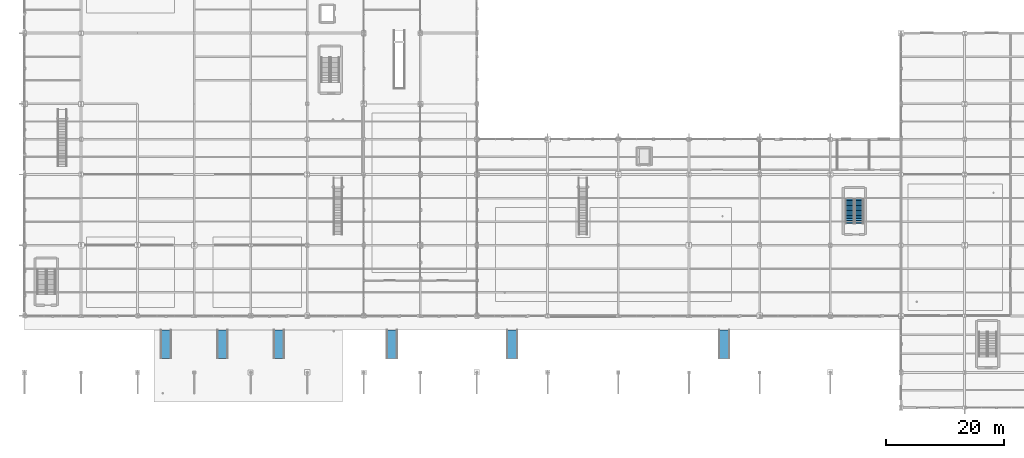
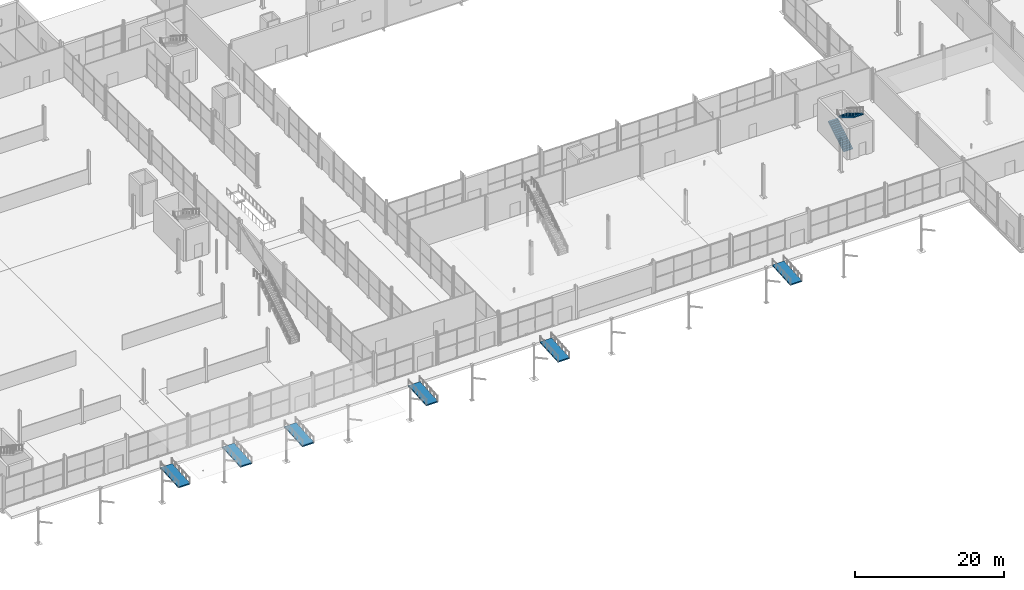
# One storey, part 179 of 196: 6 ramp flights, 2 stair flights, 7 elements without a shape of their own.
"""IFC4 building model written with IfcOpenShell, lengths in metres."""

from ifc_helpers import new_model, si_unit, direction, frame, origin, place, context, subcontext, project, spatial, polyline, outline, extrude, material, layer, layer_set, type_object, element, aggregate, save


model = new_model("IFC4")

# Units and contexts
model_context = context("Model", 3, precision=1e-05, world=origin(), true_north=direction((0.0, 1.0)))
body_context = subcontext(model_context, "Body", "Model", "MODEL_VIEW")
ifc_project = project(units=[si_unit("LENGTHUNIT", "METRE"), si_unit("AREAUNIT", "SQUARE_METRE"), si_unit("VOLUMEUNIT", "CUBIC_METRE"), si_unit("PLANEANGLEUNIT", "RADIAN"), si_unit("MASSUNIT", "GRAM", prefix="KILO")], contexts=[model_context])

# Site, building, storey
site_placement = place(None, origin())
site = spatial("IfcSite", under=ifc_project, at=site_placement, CompositionType="ELEMENT")
building_placement = place(site_placement, origin())
building = spatial("IfcBuilding", under=site, at=building_placement, Name="Merenkruunu Market Hall", CompositionType="ELEMENT")
storey_placement = place(building_placement, origin())
storey = spatial("IfcBuildingStorey", under=building, at=storey_placement, Name="L00", CompositionType="ELEMENT", Elevation=0.0)

# Stair, stair flights
ifc_material = material(Name="Concrete C35/45", Category="concrete")
stair_type = type_object("IfcStairType", Name="Two Flight Half Turn Stair ST05", PredefinedType="TWO_STRAIGHT_RUN_STAIR", material=ifc_material)
stair_placement = place(storey_placement, origin())
stair = element("IfcStair", 1, at=stair_placement, inside=storey, type_object=stair_type, Name="Protected Stair ST18 (K8 L00-L01)", PredefinedType="TWO_STRAIGHT_RUN_STAIR")
stair_flight_type = type_object("IfcStairFlightType", Name="Straight Stair Flight SFL02", PredefinedType="STRAIGHT", material=ifc_material)
stair_flight_1_placement = place(storey_placement, frame((140.10498046875, 31.25, 0.0), z_axis=(0.0, 0.0, 1.0), x_axis=(0.0, 1.0, 0.0)))
stair_flight_1 = element("IfcStairFlight", 2, at=stair_flight_1_placement, type_object=stair_flight_type, Name="ST18 flight 1", NumberOfRisers=16, NumberOfTreads=15, PredefinedType="STRAIGHT", RiserHeight=0.16875, TreadLength=0.28, context=body_context, shape_type="SweptSolid", body=[
    extrude(outline(polyline([(0.0, 0.0), (0.0, 0.168701171875), (0.280029296875, 0.168701171875), (0.280029296875, 0.33740234375), (0.56005859375, 0.33740234375), (0.56005859375, 0.50634765625), (0.840087890625, 0.50634765625), (0.840087890625, 0.675048828125), (1.1201171875, 0.675048828125), (1.1201171875, 0.84375), (1.39990234375, 0.84375), (1.39990234375, 1.012451171875), (1.679931640625, 1.012451171875), (1.679931640625, 1.18115234375), (1.9599609375, 1.18115234375), (1.9599609375, 1.35009765625), (2.239990234375, 1.35009765625), (2.239990234375, 1.518798828125), (2.52001953125, 1.518798828125), (2.52001953125, 1.6875), (2.800048828125, 1.6875), (2.800048828125, 1.856201171875), (3.080078125, 1.856201171875), (3.080078125, 2.02490234375), (3.360107421875, 2.02490234375), (3.360107421875, 2.19384765625), (3.639892578125, 2.19384765625), (3.639892578125, 2.362548828125), (3.919921875, 2.362548828125), (3.919921875, 2.53125), (4.199951171875, 2.53125), (4.199951171875, 2.699951171875), (4.199951171875, 2.344482421875), (0.309814453125, 0.0), (0.0, 0.0)])), frame((0.0, 0.72509765625, 0.0), z_axis=(0.0, -1.0, 0.0), x_axis=(1.0, 0.0, 0.0)), (0.0, 0.0, 1.0), 1.449951171875),
])
stair_flight_2_placement = place(storey_placement, frame((141.695068359375, 35.449951171875, 2.699951171875), z_axis=(0.0, 0.0, 1.0), x_axis=(0.0, -1.0, 0.0)))
stair_flight_2 = element("IfcStairFlight", 3, at=stair_flight_2_placement, type_object=stair_flight_type, Name="ST18 flight 2", NumberOfRisers=16, NumberOfTreads=15, PredefinedType="STRAIGHT", RiserHeight=0.16875, TreadLength=0.28, context=body_context, shape_type="SweptSolid", body=[
    extrude(outline(polyline([(0.0, 0.0), (0.0, 0.168701171875), (0.280029296875, 0.168701171875), (0.280029296875, 0.33740234375), (0.56005859375, 0.33740234375), (0.56005859375, 0.50634765625), (0.840087890625, 0.50634765625), (0.840087890625, 0.675048828125), (1.1201171875, 0.675048828125), (1.1201171875, 0.84375), (1.39990234375, 0.84375), (1.39990234375, 1.012451171875), (1.679931640625, 1.012451171875), (1.679931640625, 1.18115234375), (1.9599609375, 1.18115234375), (1.9599609375, 1.35009765625), (2.239990234375, 1.35009765625), (2.239990234375, 1.518798828125), (2.52001953125, 1.518798828125), (2.52001953125, 1.6875), (2.800048828125, 1.6875), (2.800048828125, 1.856201171875), (3.080078125, 1.856201171875), (3.080078125, 2.02490234375), (3.360107421875, 2.02490234375), (3.360107421875, 2.19384765625), (3.639892578125, 2.19384765625), (3.639892578125, 2.362548828125), (3.919921875, 2.362548828125), (3.919921875, 2.53125), (4.199951171875, 2.53125), (4.199951171875, 2.699951171875), (4.199951171875, 2.344482421875), (0.309814453125, 0.0), (0.0, 0.0)])), frame((0.0, 0.72509765625, 0.0), z_axis=(0.0, -1.0, 0.0), x_axis=(1.0, 0.0, 0.0)), (0.0, 0.0, 1.0), 1.449951171875),
])
aggregate(stair, [stair_flight_1, stair_flight_2])

# Ramp, ramp flight
ramp_type = type_object("IfcRampType", Name="Accessible Threshold Ramp RMP01", PredefinedType="STRAIGHT_RUN_RAMP", material=ifc_material)
ramp_1_placement = place(storey_placement, origin())
ramp_1 = element("IfcRamp", 4, at=ramp_1_placement, inside=storey, type_object=ramp_type, Name="Accessible Pedestrian Ramp RMP-01", PredefinedType="STRAIGHT_RUN_RAMP")
ifc_layer = layer(ifc_material, 0.199951171875)
ifc_layer_set = layer_set([ifc_layer], Name="Concrete C35/45")
ramp_flight_type = type_object("IfcRampFlightType", Name="Straight Ramp Flight RFL01", PredefinedType="STRAIGHT", material=ifc_layer_set)
ramp_flight_1_placement = place(storey_placement, frame((23.10009765625, 8.39990234375, -0.300048828125), z_axis=(0.0, -0.062387767186, 0.998051985873), x_axis=(1.0, 0.0, 0.0)))
ramp_flight_1 = element("IfcRampFlight", 5, at=ramp_flight_1_placement, type_object=ramp_flight_type, Name="RMP-01 flight 1", PredefinedType="STRAIGHT", context=body_context, shape_type="SweptSolid", body=[
    extrude(outline(polyline([(0.0, 0.0), (1.7998046875, 0.0), (1.7998046875, 4.809417641632235), (0.0, 4.809417641632235), (0.0, 0.0)])), origin(), (0.0, 0.0, -1.0), 0.199951171875),
])
aggregate(ramp_1, [ramp_flight_1])

ramp_2_placement = place(storey_placement, origin())
ramp_2 = element("IfcRamp", 6, at=ramp_2_placement, inside=storey, type_object=ramp_type, Name="Accessible Pedestrian Ramp RMP-02", PredefinedType="STRAIGHT_RUN_RAMP")
ramp_flight_2_placement = place(storey_placement, frame((32.699951171875, 8.39990234375, -0.300048828125), z_axis=(0.0, -0.062387767186, 0.998051985873), x_axis=(1.0, 0.0, 0.0)))
ramp_flight_2 = element("IfcRampFlight", 7, at=ramp_flight_2_placement, type_object=ramp_flight_type, Name="RMP-02 flight 1", PredefinedType="STRAIGHT", context=body_context, shape_type="SweptSolid", body=[
    extrude(outline(polyline([(0.0, 0.0), (1.800048828125, 0.0), (1.800048828125, 4.809417641632236), (0.0, 4.809417641632236), (0.0, 0.0)])), origin(), (0.0, 0.0, -1.0), 0.199951171875),
])
aggregate(ramp_2, [ramp_flight_2])

ramp_3_placement = place(storey_placement, origin())
ramp_3 = element("IfcRamp", 8, at=ramp_3_placement, inside=storey, type_object=ramp_type, Name="Accessible Pedestrian Ramp RMP-03", PredefinedType="STRAIGHT_RUN_RAMP")
ramp_flight_3_placement = place(storey_placement, frame((42.300048828125, 8.39990234375, -0.300048828125), z_axis=(0.0, -0.062387767186, 0.998051985873), x_axis=(1.0, 0.0, 0.0)))
ramp_flight_3 = element("IfcRampFlight", 9, at=ramp_flight_3_placement, type_object=ramp_flight_type, Name="RMP-03 flight 1", PredefinedType="STRAIGHT", context=body_context, shape_type="SweptSolid", body=[
    extrude(outline(polyline([(0.0, 0.0), (1.800048828125, 0.0), (1.800048828125, 4.809417641632236), (0.0, 4.809417641632236), (0.0, 0.0)])), origin(), (0.0, 0.0, -1.0), 0.199951171875),
])
aggregate(ramp_3, [ramp_flight_3])

ramp_4_placement = place(storey_placement, origin())
ramp_4 = element("IfcRamp", 10, at=ramp_4_placement, inside=storey, type_object=ramp_type, Name="Accessible Pedestrian Ramp RMP-04", PredefinedType="STRAIGHT_RUN_RAMP")
ramp_flight_4_placement = place(storey_placement, frame((61.5, 8.39990234375, -0.300048828125), z_axis=(0.0, -0.062387767186, 0.998051985873), x_axis=(1.0, 0.0, 0.0)))
ramp_flight_4 = element("IfcRampFlight", 11, at=ramp_flight_4_placement, type_object=ramp_flight_type, Name="RMP-04 flight 1", PredefinedType="STRAIGHT", context=body_context, shape_type="SweptSolid", body=[
    extrude(outline(polyline([(0.0, 0.0), (1.800048828125, 0.0), (1.800048828125, 4.809417641632236), (0.0, 4.809417641632236), (0.0, 0.0)])), origin(), (0.0, 0.0, -1.0), 0.199951171875),
])
aggregate(ramp_4, [ramp_flight_4])

ramp_5_placement = place(storey_placement, origin())
ramp_5 = element("IfcRamp", 12, at=ramp_5_placement, inside=storey, type_object=ramp_type, Name="Accessible Pedestrian Ramp RMP-05", PredefinedType="STRAIGHT_RUN_RAMP")
ramp_flight_5_placement = place(storey_placement, frame((81.89990234375, 8.39990234375, -0.300048828125), z_axis=(0.0, -0.062387767186, 0.998051985873), x_axis=(1.0, 0.0, 0.0)))
ramp_flight_5 = element("IfcRampFlight", 13, at=ramp_flight_5_placement, type_object=ramp_flight_type, Name="RMP-05 flight 1", PredefinedType="STRAIGHT", context=body_context, shape_type="SweptSolid", body=[
    extrude(outline(polyline([(0.0, 0.0), (1.800048828125, 0.0), (1.800048828125, 4.809417641632236), (0.0, 4.809417641632236), (0.0, 0.0)])), origin(), (0.0, 0.0, -1.0), 0.199951171875),
])
aggregate(ramp_5, [ramp_flight_5])

ramp_6_placement = place(storey_placement, origin())
ramp_6 = element("IfcRamp", 14, at=ramp_6_placement, inside=storey, type_object=ramp_type, Name="Accessible Pedestrian Ramp RMP-06", PredefinedType="STRAIGHT_RUN_RAMP")
ramp_flight_6_placement = place(storey_placement, frame((117.89990234375, 8.39990234375, -0.300048828125), z_axis=(0.0, -0.062387767186, 0.998051985873), x_axis=(1.0, 0.0, 0.0)))
ramp_flight_6 = element("IfcRampFlight", 15, at=ramp_flight_6_placement, type_object=ramp_flight_type, Name="RMP-06 flight 1", PredefinedType="STRAIGHT", context=body_context, shape_type="SweptSolid", body=[
    extrude(outline(polyline([(0.0, 0.0), (1.800048828125, 0.0), (1.800048828125, 4.809417641632236), (0.0, 4.809417641632236), (0.0, 0.0)])), origin(), (0.0, 0.0, -1.0), 0.199951171875),
])
aggregate(ramp_6, [ramp_flight_6])

save(model, "model.ifc")
